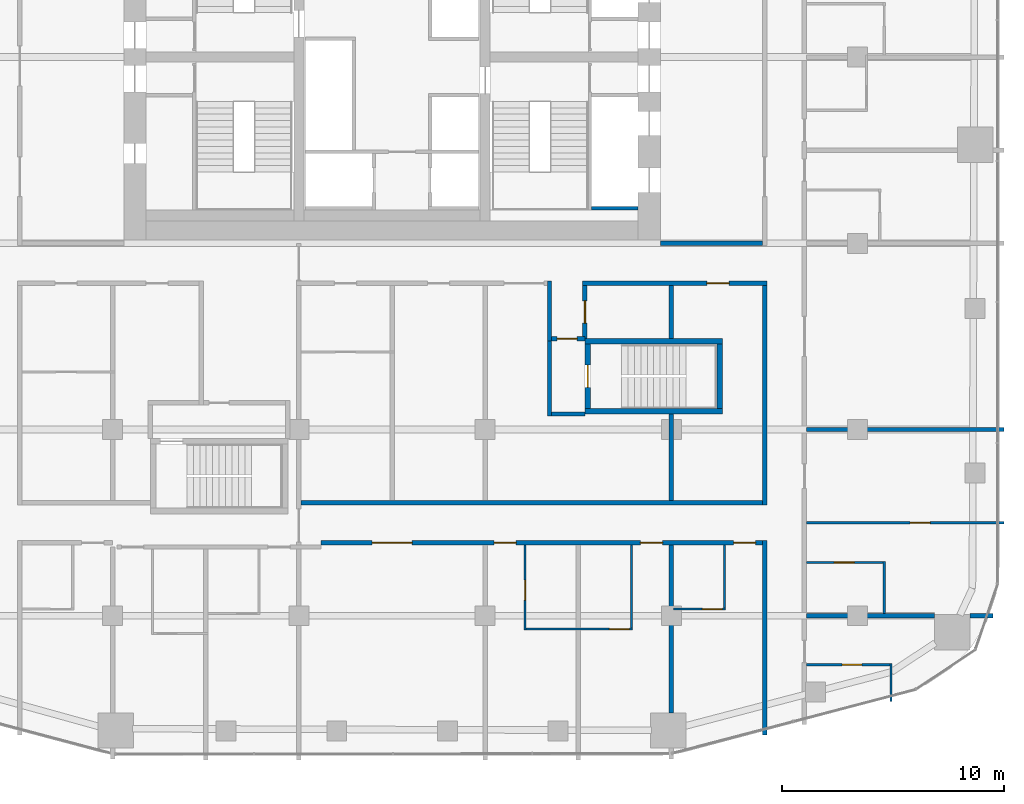
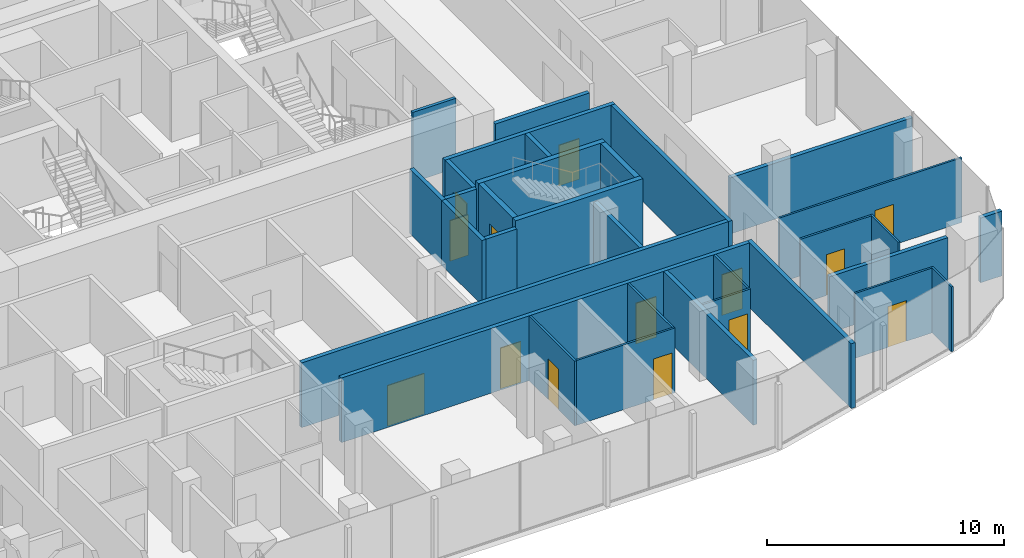
# One storey, part 16 of 23: 32 walls, 14 doors, 14 openings.
"""IFC4 building model written with IfcOpenShell, lengths in metres."""

from ifc_helpers import new_model, si_unit, direction, frame, frame_2d, origin, place, context, subcontext, project, spatial, rectangle, extrude, material, layer, layer_set, type_object, element, fill, save


model = new_model("IFC4")

# Units and contexts
model_context = context("Model", 3, precision=1e-05, world=origin(), true_north=direction((0.0, 1.0)))
body_context = subcontext(model_context, "Body", "Model", "MODEL_VIEW")
ifc_project = project(units=[si_unit("LENGTHUNIT", "METRE"), si_unit("AREAUNIT", "SQUARE_METRE"), si_unit("VOLUMEUNIT", "CUBIC_METRE"), si_unit("PLANEANGLEUNIT", "RADIAN"), si_unit("MASSUNIT", "GRAM", prefix="KILO")], contexts=[model_context])

# Site, building, storey
site_placement = place(None, origin())
site = spatial("IfcSite", under=ifc_project, at=site_placement, CompositionType="ELEMENT")
building_placement = place(site_placement, origin())
building = spatial("IfcBuilding", under=site, at=building_placement, Name="Marenta Gate Hotel Tower", CompositionType="ELEMENT")
storey_placement = place(building_placement, frame((0.0, 0.0, 119.300048828125)))
storey = spatial("IfcBuildingStorey", under=building, at=storey_placement, Name="L26", CompositionType="ELEMENT", Elevation=119.300048828125)

# Walls
ifc_material_1 = material(Name="Concrete blockwork", Category="masonry")
ifc_layer_1 = layer(ifc_material_1, 0.199951171875)
ifc_layer_set_1 = layer_set([ifc_layer_1], Name="Concrete blockwork")
wall_type_1 = type_object("IfcWallType", Name="Core boundary wall 200 REI 180", PredefinedType="PARTITIONING", material=ifc_layer_set_1)
wall_1_placement = place(storey_placement, frame((12.10009765625, 0.0, 0.0), z_axis=(0.0, 0.0, 1.0), x_axis=(1.0, 0.0, 0.0)))
element("IfcWall", 1, at=wall_1_placement, inside=storey, type_object=wall_type_1, Name="L26-CP-EW-ES", PredefinedType="PARTITIONING", context=body_context, shape_type="SweptSolid", body=[
    extrude(rectangle(XDim=4.599853515625, YDim=0.199951171875, at=frame_2d((2.2998046875, 0.0))), origin(), (0.0, 0.0, 1.0), 2.889892578125),
])
ifc_material_2 = material(Name="Concrete C40", Category="concrete")
ifc_layer_2 = layer(ifc_material_2, 0.14990234375)
ifc_layer_set_2 = layer_set([ifc_layer_2], Name="Concrete C40")
wall_type_2 = type_object("IfcWallType", Name="Core shaft wall 150 REI 180", PredefinedType="SHEAR", material=ifc_layer_set_2)
wall_2_placement = place(storey_placement, frame((9.0, 1.574951171875, 0.0), z_axis=(0.0, 0.0, 1.0), x_axis=(1.0, 0.0, 0.0)))
element("IfcWall", 2, at=wall_2_placement, inside=storey, type_object=wall_type_2, Name="L26-SHF-SW-ES-5", PredefinedType="SHEAR", context=body_context, shape_type="SweptSolid", body=[
    extrude(rectangle(XDim=2.10009765625, YDim=0.14990234375, at=frame_2d((1.050048828125, 0.0))), origin(), (0.0, 0.0, 1.0), 3.599853515625),
])
ifc_material_3 = material(Name="Concrete C40", Category="concrete")
ifc_layer_3 = layer(ifc_material_3, 0.25)
ifc_layer_set_3 = layer_set([ifc_layer_3], Name="Concrete C40")
wall_type_3 = type_object("IfcWallType", Name="Remote stair enclosure wall 250 REI 180", PredefinedType="SHEAR", material=ifc_layer_set_3)
for number, where, z_axis, x_axis, name in (
    (3, (8.699951171875, -7.574951171875, 0.099853515625), (0.0, 0.0, 1.0), (1.0, 0.0, 0.0), "L26-RS-Z2-2-W1"),
    (4, (8.699951171875, -4.425048828125, 0.099853515625), (0.0, 0.0, 1.0), (1.0, 0.0, 0.0), "L26-RS-Z2-2-W2"),
):
    element("IfcWall", number, at=place(storey_placement, frame(where, z_axis=z_axis, x_axis=x_axis)), inside=storey, type_object=wall_type_3, Name=name, PredefinedType="SHEAR", context=body_context, shape_type="SweptSolid", body=[
        extrude(rectangle(XDim=6.199951171875, YDim=0.25, at=frame_2d((3.10009765625, 0.0))), origin(), (0.0, 0.0, 1.0), 3.60009765625),
    ])

# Wall, opening, door
wall_3_placement = place(storey_placement, frame((8.824951171875, -7.449951171875, 0.099853515625), z_axis=(0.0, 0.0, 1.0), x_axis=(0.0, 1.0, 0.0)))
wall_3 = element("IfcWall", 5, at=wall_3_placement, inside=storey, type_object=wall_type_3, Name="L26-RS-Z2-2-W3", PredefinedType="SHEAR", context=body_context, shape_type="SweptSolid", body=[
    extrude(rectangle(XDim=2.89990234375, YDim=0.25, at=frame_2d((1.449951171875, 0.0))), origin(), (0.0, 0.0, 1.0), 3.60009765625),
])
opening_1_placement = place(wall_3_placement, frame((0.949951171875, 0.0, 0.0)))
opening_1 = element("IfcOpeningElement", 6, at=opening_1_placement, cuts=wall_3, Name="Opening VD", PredefinedType="OPENING", context=body_context, shape_type="SweptSolid", body=[
    extrude(rectangle(XDim=1.0, YDim=2.10009765625, at=frame_2d((0.5, 1.050048828125))), frame((0.0, 0.125, 0.0), z_axis=(0.0, -1.0, 0.0), x_axis=(1.0, 0.0, 0.0)), (0.0, 0.0, 1.0), 0.25),
])
ifc_material_4 = material(Name="Steel", Category="steel")
door_type_1 = type_object("IfcDoorType", Name="Stair vestibule door 1000x2100 FD60", OperationType="SINGLE_SWING_LEFT", PredefinedType="DOOR", material=ifc_material_4)
door_1_placement = place(opening_1_placement, origin())
door_1 = element("IfcDoor", 7, at=door_1_placement, inside=storey, type_object=door_type_1, Name="VD", OperationType="SINGLE_SWING_LEFT", OverallHeight=2.10009765625, OverallWidth=1.0, PredefinedType="DOOR", context=body_context, shape_type="SweptSolid", body=[
    extrude(rectangle(XDim=1.0, YDim=2.10009765625, at=frame_2d((0.5, 1.050048828125))), frame((0.0, 0.02490234375, 0.0), z_axis=(0.0, -1.0, 0.0), x_axis=(1.0, 0.0, 0.0)), (0.0, 0.0, 1.0), 0.050048828125),
])
fill(opening_1, door_1)

# Walls
wall_4_placement = place(storey_placement, frame((14.77490234375, -7.449951171875, 0.099853515625), z_axis=(0.0, 0.0, 1.0), x_axis=(0.0, 1.0, 0.0)))
element("IfcWall", 8, at=wall_4_placement, inside=storey, type_object=wall_type_3, Name="L26-RS-Z2-2-W4", PredefinedType="SHEAR", context=body_context, shape_type="SweptSolid", body=[
    extrude(rectangle(XDim=2.89990234375, YDim=0.25, at=frame_2d((1.449951171875, 0.0))), origin(), (0.0, 0.0, 1.0), 3.60009765625),
])
ifc_material_5 = material(Name="Concrete blockwork", Category="masonry")
ifc_layer_4 = layer(ifc_material_5, 0.199951171875)
ifc_layer_set_4 = layer_set([ifc_layer_4], Name="Concrete blockwork")
wall_type_4 = type_object("IfcWallType", Name="Room corridor wall 200 EI 120", PredefinedType="PARTITIONING", material=ifc_layer_set_4)
wall_5_placement = place(storey_placement, frame((-4.10009765625, -11.699951171875, 0.0), z_axis=(0.0, 0.0, 1.0), x_axis=(1.0, 0.0, 0.0)))
element("IfcWall", 9, at=wall_5_placement, inside=storey, type_object=wall_type_4, Name="L26-PTN-W034", PredefinedType="PARTITIONING", context=body_context, shape_type="SweptSolid", body=[
    extrude(rectangle(XDim=20.800048828125, YDim=0.199951171875, at=frame_2d((10.39990234375, 0.0))), origin(), (0.0, 0.0, 1.0), 3.33984375),
])
ifc_material_6 = material(Name="Gypsum board on steel stud", Category="steel")
ifc_layer_5 = layer(ifc_material_6, 0.199951171875)
ifc_layer_set_5 = layer_set([ifc_layer_5], Name="Gypsum board on steel stud")
wall_type_5 = type_object("IfcWallType", Name="Room corridor wall 200 EI 60", PredefinedType="PARTITIONING", material=ifc_layer_set_5)
wall_6_placement = place(storey_placement, frame((16.800048828125, -22.18603515625, 0.0), z_axis=(0.0, 0.0, 1.0), x_axis=(0.0, 1.0, 0.0)))
element("IfcWall", 10, at=wall_6_placement, inside=storey, type_object=wall_type_5, Name="L26-PTN-W014", PredefinedType="PARTITIONING", context=body_context, shape_type="SweptSolid", body=[
    extrude(rectangle(XDim=8.7861328125, YDim=0.199951171875, at=frame_2d((4.39306640625, 0.0))), origin(), (0.0, 0.0, 1.0), 3.33984375),
])
wall_7_placement = place(storey_placement, frame((16.800048828125, -11.800048828125, 0.0), z_axis=(0.0, 0.0, 1.0), x_axis=(0.0, 1.0, 0.0)))
element("IfcWall", 11, at=wall_7_placement, inside=storey, type_object=wall_type_5, Name="L26-PTN-W015", PredefinedType="PARTITIONING", context=body_context, shape_type="SweptSolid", body=[
    extrude(rectangle(XDim=9.900146484375, YDim=0.199951171875, at=frame_2d((4.9501953125, 0.0))), origin(), (0.0, 0.0, 1.0), 3.33984375),
])

# Wall, openings, doors
wall_8_placement = place(storey_placement, frame((-3.199951171875, -13.5, 0.0), z_axis=(0.0, 0.0, 1.0), x_axis=(1.0, 0.0, 0.0)))
wall_8 = element("IfcWall", 12, at=wall_8_placement, inside=storey, type_object=wall_type_5, Name="L26-PTN-W027", PredefinedType="PARTITIONING", context=body_context, shape_type="SweptSolid", body=[
    extrude(rectangle(XDim=19.89990234375, YDim=0.199951171875, at=frame_2d((9.949951171875, 0.0))), origin(), (0.0, 0.0, 1.0), 3.33984375),
])
opening_2_placement = place(wall_8_placement, frame((2.300048828125, 0.0, 0.0)))
opening_2 = element("IfcOpeningElement", 13, at=opening_2_placement, cuts=wall_8, Name="Opening G09-47", PredefinedType="OPENING", context=body_context, shape_type="SweptSolid", body=[
    extrude(rectangle(XDim=1.800048828125, YDim=2.10009765625, at=frame_2d((0.89990234375, 1.050048828125))), frame((0.0, 0.10009765625, 0.0), z_axis=(0.0, -1.0, 0.0), x_axis=(1.0, 0.0, 0.0)), (0.0, 0.0, 1.0), 0.199951171875),
])
opening_3_placement = place(wall_8_placement, frame((7.800048828125, 0.0, 0.0)))
opening_3 = element("IfcOpeningElement", 14, at=opening_3_placement, cuts=wall_8, Name="Opening G09-48", PredefinedType="OPENING", context=body_context, shape_type="SweptSolid", body=[
    extrude(rectangle(XDim=1.0, YDim=2.10009765625, at=frame_2d((0.5, 1.050048828125))), frame((0.0, 0.10009765625, 0.0), z_axis=(0.0, -1.0, 0.0), x_axis=(1.0, 0.0, 0.0)), (0.0, 0.0, 1.0), 0.199951171875),
])
opening_4_placement = place(wall_8_placement, frame((14.39990234375, 0.0, 0.0)))
opening_4 = element("IfcOpeningElement", 15, at=opening_4_placement, cuts=wall_8, Name="Opening G09-50", PredefinedType="OPENING", context=body_context, shape_type="SweptSolid", body=[
    extrude(rectangle(XDim=1.0, YDim=2.10009765625, at=frame_2d((0.5, 1.050048828125))), frame((0.0, 0.10009765625, 0.0), z_axis=(0.0, -1.0, 0.0), x_axis=(1.0, 0.0, 0.0)), (0.0, 0.0, 1.0), 0.199951171875),
])
opening_5_placement = place(wall_8_placement, frame((18.60009765625, 0.0, 0.0)))
opening_5 = element("IfcOpeningElement", 16, at=opening_5_placement, cuts=wall_8, Name="Opening G09-52", PredefinedType="OPENING", context=body_context, shape_type="SweptSolid", body=[
    extrude(rectangle(XDim=1.0, YDim=2.10009765625, at=frame_2d((0.5, 1.050048828125))), frame((0.0, 0.10009765625, 0.0), z_axis=(0.0, -1.0, 0.0), x_axis=(1.0, 0.0, 0.0)), (0.0, 0.0, 1.0), 0.199951171875),
])
ifc_material_7 = material(Name="Timber door leaf", Category="wood")
door_type_2 = type_object("IfcDoorType", Name="Guest room door 1000x2100 EI 30", OperationType="NOTDEFINED", PredefinedType="DOOR", material=ifc_material_7)
door_2_placement = place(opening_3_placement, origin())
door_2 = element("IfcDoor", 17, at=door_2_placement, inside=storey, type_object=door_type_2, Name="L26-PD-D048", OperationType="SINGLE_SWING_RIGHT", OverallHeight=2.10009765625, OverallWidth=1.0, PredefinedType="DOOR", context=body_context, shape_type="SweptSolid", body=[
    extrude(rectangle(XDim=1.0, YDim=2.10009765625, at=frame_2d((0.5, 1.050048828125))), frame((0.0, 0.02490234375, 0.0), z_axis=(0.0, -1.0, 0.0), x_axis=(1.0, 0.0, 0.0)), (0.0, 0.0, 1.0), 0.050048828125),
])
fill(opening_3, door_2)
door_3_placement = place(opening_4_placement, origin())
door_3 = element("IfcDoor", 18, at=door_3_placement, inside=storey, type_object=door_type_2, Name="L26-PD-D050", OperationType="SINGLE_SWING_RIGHT", OverallHeight=2.10009765625, OverallWidth=1.0, PredefinedType="DOOR", context=body_context, shape_type="SweptSolid", body=[
    extrude(rectangle(XDim=1.0, YDim=2.10009765625, at=frame_2d((0.5, 1.050048828125))), frame((0.0, 0.02490234375, 0.0), z_axis=(0.0, -1.0, 0.0), x_axis=(1.0, 0.0, 0.0)), (0.0, 0.0, 1.0), 0.050048828125),
])
fill(opening_4, door_3)
door_4_placement = place(opening_5_placement, origin())
door_4 = element("IfcDoor", 19, at=door_4_placement, inside=storey, type_object=door_type_2, Name="L26-PD-D052", OperationType="SINGLE_SWING_LEFT", OverallHeight=2.10009765625, OverallWidth=1.0, PredefinedType="DOOR", context=body_context, shape_type="SweptSolid", body=[
    extrude(rectangle(XDim=1.0, YDim=2.10009765625, at=frame_2d((0.5, 1.050048828125))), frame((0.0, 0.02490234375, 0.0), z_axis=(0.0, -1.0, 0.0), x_axis=(1.0, 0.0, 0.0)), (0.0, 0.0, 1.0), 0.050048828125),
])
fill(opening_5, door_4)
ifc_material_8 = material(Name="Timber door leaf", Category="wood")
door_type_3 = type_object("IfcDoorType", Name="Room amenity door 1800x2100 EI 30", OperationType="DOUBLE_DOOR_SINGLE_SWING", PredefinedType="DOOR", material=ifc_material_8)
door_5_placement = place(opening_2_placement, origin())
door_5 = element("IfcDoor", 20, at=door_5_placement, inside=storey, type_object=door_type_3, Name="L26-PD-D047", OperationType="DOUBLE_DOOR_SINGLE_SWING", OverallHeight=2.10009765625, OverallWidth=1.800048828125, PredefinedType="DOOR", context=body_context, shape_type="SweptSolid", body=[
    extrude(rectangle(XDim=1.800048828125, YDim=2.10009765625, at=frame_2d((0.89990234375, 1.050048828125))), frame((0.0, 0.02490234375, 0.0), z_axis=(0.0, -1.0, 0.0), x_axis=(1.0, 0.0, 0.0)), (0.0, 0.0, 1.0), 0.050048828125),
])
fill(opening_2, door_5)

# Wall, opening, door
wall_9_placement = place(storey_placement, frame((8.699951171875, -4.300048828125, 0.0), z_axis=(0.0, 0.0, 1.0), x_axis=(0.0, 1.0, 0.0)))
wall_9 = element("IfcWall", 21, at=wall_9_placement, inside=storey, type_object=wall_type_5, Name="L26-PTN-W038", PredefinedType="PARTITIONING", context=body_context, shape_type="SweptSolid", body=[
    extrude(rectangle(XDim=2.400146484375, YDim=0.199951171875, at=frame_2d((1.2001953125, 0.0))), origin(), (0.0, 0.0, 1.0), 3.33984375),
])
opening_6_placement = place(wall_9_placement, frame((0.699951171875, 0.0, 0.0)))
opening_6 = element("IfcOpeningElement", 22, at=opening_6_placement, cuts=wall_9, Name="Opening G09-73", PredefinedType="OPENING", context=body_context, shape_type="SweptSolid", body=[
    extrude(rectangle(XDim=1.0, YDim=2.10009765625, at=frame_2d((0.5, 1.050048828125))), frame((0.0, 0.10009765625, 0.0), z_axis=(0.0, -1.0, 0.0), x_axis=(1.0, 0.0, 0.0)), (0.0, 0.0, 1.0), 0.199951171875),
])
ifc_material_9 = material(Name="Timber door leaf", Category="wood")
door_type_4 = type_object("IfcDoorType", Name="Room amenity door 1000x2100 EI 30", OperationType="NOTDEFINED", PredefinedType="DOOR", material=ifc_material_9)
door_6_placement = place(opening_6_placement, origin())
door_6 = element("IfcDoor", 23, at=door_6_placement, inside=storey, type_object=door_type_4, Name="L26-PD-D073", OperationType="SINGLE_SWING_LEFT", OverallHeight=2.10009765625, OverallWidth=1.0, PredefinedType="DOOR", context=body_context, shape_type="SweptSolid", body=[
    extrude(rectangle(XDim=1.0, YDim=2.10009765625, at=frame_2d((0.5, 1.050048828125))), frame((0.0, 0.02490234375, 0.0), z_axis=(0.0, -1.0, 0.0), x_axis=(1.0, 0.0, 0.0)), (0.0, 0.0, 1.0), 0.050048828125),
])
fill(opening_6, door_6)

# Wall
wall_10_placement = place(storey_placement, frame((7.10009765625, -4.39990234375, 0.0), z_axis=(0.0, 0.0, 1.0), x_axis=(0.0, 1.0, 0.0)))
element("IfcWall", 24, at=wall_10_placement, inside=storey, type_object=wall_type_5, Name="L26-PTN-W047", PredefinedType="PARTITIONING", context=body_context, shape_type="SweptSolid", body=[
    extrude(rectangle(XDim=2.699951171875, YDim=0.199951171875, at=frame_2d((1.35009765625, 0.0))), origin(), (0.0, 0.0, 1.0), 3.33984375),
])

# Wall, opening, door
wall_11_placement = place(storey_placement, frame((8.60009765625, -1.800048828125, 0.0), z_axis=(0.0, 0.0, 1.0), x_axis=(1.0, 0.0, 0.0)))
wall_11 = element("IfcWall", 25, at=wall_11_placement, inside=storey, type_object=wall_type_5, Name="L26-PTN-W061", PredefinedType="PARTITIONING", context=body_context, shape_type="SweptSolid", body=[
    extrude(rectangle(XDim=8.2998046875, YDim=0.199951171875, at=frame_2d((4.14990234375, 0.0))), origin(), (0.0, 0.0, 1.0), 3.33984375),
])
opening_7_placement = place(wall_11_placement, frame((5.60009765625, 0.0, 0.0)))
opening_7 = element("IfcOpeningElement", 26, at=opening_7_placement, cuts=wall_11, Name="Opening G09-08", PredefinedType="OPENING", context=body_context, shape_type="SweptSolid", body=[
    extrude(rectangle(XDim=1.0, YDim=2.10009765625, at=frame_2d((0.5, 1.050048828125))), frame((0.0, 0.10009765625, 0.0), z_axis=(0.0, -1.0, 0.0), x_axis=(1.0, 0.0, 0.0)), (0.0, 0.0, 1.0), 0.199951171875),
])
door_7_placement = place(opening_7_placement, origin())
door_7 = element("IfcDoor", 27, at=door_7_placement, inside=storey, type_object=door_type_4, Name="L26-PD-D008", OperationType="SINGLE_SWING_RIGHT", OverallHeight=2.10009765625, OverallWidth=1.0, PredefinedType="DOOR", context=body_context, shape_type="SweptSolid", body=[
    extrude(rectangle(XDim=1.0, YDim=2.10009765625, at=frame_2d((0.5, 1.050048828125))), frame((0.0, 0.02490234375, 0.0), z_axis=(0.0, -1.0, 0.0), x_axis=(1.0, 0.0, 0.0)), (0.0, 0.0, 1.0), 0.050048828125),
])
fill(opening_7, door_7)

ifc_material_10 = material(Name="Concrete blockwork", Category="masonry")
ifc_layer_6 = layer(ifc_material_10, 0.199951171875)
ifc_layer_set_6 = layer_set([ifc_layer_6], Name="Concrete blockwork")
wall_type_6 = type_object("IfcWallType", Name="Room corridor wall 200 REI 180", PredefinedType="PARTITIONING", material=ifc_layer_set_6)
wall_12_placement = place(storey_placement, frame((7.199951171875, -4.300048828125, 0.0), z_axis=(0.0, 0.0, 1.0), x_axis=(1.0, 0.0, 0.0)))
wall_12 = element("IfcWall", 28, at=wall_12_placement, inside=storey, type_object=wall_type_6, Name="L26-PTN-W052", PredefinedType="PARTITIONING", context=body_context, shape_type="SweptSolid", body=[
    extrude(rectangle(XDim=1.5, YDim=0.199951171875, at=frame_2d((0.75, 0.0))), origin(), (0.0, 0.0, 1.0), 3.33984375),
])
opening_8_placement = place(wall_12_placement, frame((0.25, 0.0, 0.0)))
opening_8 = element("IfcOpeningElement", 29, at=opening_8_placement, cuts=wall_12, Name="Opening G09-70", PredefinedType="OPENING", context=body_context, shape_type="SweptSolid", body=[
    extrude(rectangle(XDim=0.89990234375, YDim=2.10009765625, at=frame_2d((0.449951171875, 1.050048828125))), frame((0.0, 0.10009765625, 0.0), z_axis=(0.0, -1.0, 0.0), x_axis=(1.0, 0.0, 0.0)), (0.0, 0.0, 1.0), 0.199951171875),
])
ifc_material_11 = material(Name="Hollow steel door set", Category="steel")
door_type_5 = type_object("IfcDoorType", Name="Stair vestibule door 900x2100 EI 60", OperationType="NOTDEFINED", PredefinedType="DOOR", material=ifc_material_11)
door_8_placement = place(opening_8_placement, origin())
door_8 = element("IfcDoor", 30, at=door_8_placement, inside=storey, type_object=door_type_5, Name="L26-PD-D070", OperationType="SINGLE_SWING_RIGHT", OverallHeight=2.10009765625, OverallWidth=0.89990234375, PredefinedType="DOOR", context=body_context, shape_type="SweptSolid", body=[
    extrude(rectangle(XDim=0.89990234375, YDim=2.10009765625, at=frame_2d((0.449951171875, 1.050048828125))), frame((0.0, 0.02490234375, 0.0), z_axis=(0.0, -1.0, 0.0), x_axis=(1.0, 0.0, 0.0)), (0.0, 0.0, 1.0), 0.050048828125),
])
fill(opening_8, door_8)

# Walls
ifc_material_12 = material(Name="Gypsum board on steel stud", Category="steel")
ifc_layer_7 = layer(ifc_material_12, 0.10009765625)
ifc_layer_set_7 = layer_set([ifc_layer_7], Name="Gypsum board on steel stud")
wall_type_7 = type_object("IfcWallType", Name="Room partition 100", PredefinedType="PARTITIONING", material=ifc_layer_set_7)
wall_13_placement = place(storey_placement, frame((22.5, -20.674072265625, 0.0), z_axis=(0.0, 0.0, 1.0), x_axis=(0.0, 1.0, 0.0)))
element("IfcWall", 31, at=wall_13_placement, inside=storey, type_object=wall_type_7, Name="L26-PTN-W001", PredefinedType="PARTITIONING", context=body_context, shape_type="SweptSolid", body=[
    extrude(rectangle(XDim=1.716064453125, YDim=0.10009765625, at=frame_2d((0.85791015625, 0.0))), origin(), (0.0, 0.0, 1.0), 3.33984375),
])
wall_14_placement = place(storey_placement, frame((22.199951171875, -16.699951171875, 0.0), z_axis=(0.0, 0.0, 1.0), x_axis=(0.0, 1.0, 0.0)))
element("IfcWall", 32, at=wall_14_placement, inside=storey, type_object=wall_type_7, Name="L26-PTN-W002", PredefinedType="PARTITIONING", context=body_context, shape_type="SweptSolid", body=[
    extrude(rectangle(XDim=2.349853515625, YDim=0.10009765625, at=frame_2d((1.1748046875, 0.0))), origin(), (0.0, 0.0, 1.0), 3.33984375),
])

# Wall, opening, door
wall_15_placement = place(storey_placement, frame((18.699951171875, -19.008056640625, 0.0), z_axis=(0.0, 0.0, 1.0), x_axis=(1.0, 0.0, 0.0)))
wall_15 = element("IfcWall", 33, at=wall_15_placement, inside=storey, type_object=wall_type_7, Name="L26-PTN-W009", PredefinedType="PARTITIONING", context=body_context, shape_type="SweptSolid", body=[
    extrude(rectangle(XDim=3.75, YDim=0.10009765625, at=frame_2d((1.875, 0.0))), origin(), (0.0, 0.0, 1.0), 3.33984375),
])
opening_9_placement = place(wall_15_placement, frame((1.594970703125, 0.0, 0.0)))
opening_9 = element("IfcOpeningElement", 34, at=opening_9_placement, cuts=wall_15, Name="Opening G09-10", PredefinedType="OPENING", context=body_context, shape_type="SweptSolid", body=[
    extrude(rectangle(XDim=0.89990234375, YDim=2.10009765625, at=frame_2d((0.449951171875, 1.050048828125))), frame((0.0, 0.050048828125, 0.0), z_axis=(0.0, -1.0, 0.0), x_axis=(1.0, 0.0, 0.0)), (0.0, 0.0, 1.0), 0.10009765625),
])
ifc_material_13 = material(Name="Timber door leaf", Category="wood")
door_type_6 = type_object("IfcDoorType", Name="Guest bathroom door 900x2100", OperationType="NOTDEFINED", PredefinedType="DOOR", material=ifc_material_13)
door_9_placement = place(opening_9_placement, origin())
door_9 = element("IfcDoor", 35, at=door_9_placement, inside=storey, type_object=door_type_6, Name="L26-PD-D010", OperationType="SINGLE_SWING_RIGHT", OverallHeight=2.10009765625, OverallWidth=0.89990234375, PredefinedType="DOOR", context=body_context, shape_type="SweptSolid", body=[
    extrude(rectangle(XDim=0.89990234375, YDim=2.10009765625, at=frame_2d((0.449951171875, 1.050048828125))), frame((0.0, 0.02490234375, 0.0), z_axis=(0.0, -1.0, 0.0), x_axis=(1.0, 0.0, 0.0)), (0.0, 0.0, 1.0), 0.050048828125),
])
fill(opening_9, door_9)

wall_16_placement = place(storey_placement, frame((6.050048828125, -17.39990234375, 0.0), z_axis=(0.0, 0.0, 1.0), x_axis=(1.0, 0.0, 0.0)))
wall_16 = element("IfcWall", 36, at=wall_16_placement, inside=storey, type_object=wall_type_7, Name="L26-PTN-W013", PredefinedType="PARTITIONING", context=body_context, shape_type="SweptSolid", body=[
    extrude(rectangle(XDim=4.800048828125, YDim=0.10009765625, at=frame_2d((2.39990234375, 0.0))), origin(), (0.0, 0.0, 1.0), 3.33984375),
])
opening_10_placement = place(wall_16_placement, frame((3.75, 0.0, 0.0)))
opening_10 = element("IfcOpeningElement", 37, at=opening_10_placement, cuts=wall_16, Name="Opening G09-51", PredefinedType="OPENING", context=body_context, shape_type="SweptSolid", body=[
    extrude(rectangle(XDim=0.89990234375, YDim=2.10009765625, at=frame_2d((0.449951171875, 1.050048828125))), frame((0.0, 0.050048828125, 0.0), z_axis=(0.0, -1.0, 0.0), x_axis=(1.0, 0.0, 0.0)), (0.0, 0.0, 1.0), 0.10009765625),
])
door_10_placement = place(opening_10_placement, origin())
door_10 = element("IfcDoor", 38, at=door_10_placement, inside=storey, type_object=door_type_6, Name="L26-PD-D051", OperationType="SINGLE_SWING_RIGHT", OverallHeight=2.10009765625, OverallWidth=0.89990234375, PredefinedType="DOOR", context=body_context, shape_type="SweptSolid", body=[
    extrude(rectangle(XDim=0.89990234375, YDim=2.10009765625, at=frame_2d((0.449951171875, 1.050048828125))), frame((0.0, 0.02490234375, 0.0), z_axis=(0.0, -1.0, 0.0), x_axis=(1.0, 0.0, 0.0)), (0.0, 0.0, 1.0), 0.050048828125),
])
fill(opening_10, door_10)

wall_17_placement = place(storey_placement, frame((12.699951171875, -16.5, 0.0), z_axis=(0.0, 0.0, 1.0), x_axis=(1.0, 0.0, 0.0)))
wall_17 = element("IfcWall", 39, at=wall_17_placement, inside=storey, type_object=wall_type_7, Name="L26-PTN-W021", PredefinedType="PARTITIONING", context=body_context, shape_type="SweptSolid", body=[
    extrude(rectangle(XDim=2.35009765625, YDim=0.10009765625, at=frame_2d((1.175048828125, 0.0))), origin(), (0.0, 0.0, 1.0), 3.33984375),
])
opening_11_placement = place(wall_17_placement, frame((1.300048828125, 0.0, 0.0)))
opening_11 = element("IfcOpeningElement", 40, at=opening_11_placement, cuts=wall_17, Name="Opening G09-53", PredefinedType="OPENING", context=body_context, shape_type="SweptSolid", body=[
    extrude(rectangle(XDim=0.89990234375, YDim=2.10009765625, at=frame_2d((0.449951171875, 1.050048828125))), frame((0.0, 0.050048828125, 0.0), z_axis=(0.0, -1.0, 0.0), x_axis=(1.0, 0.0, 0.0)), (0.0, 0.0, 1.0), 0.10009765625),
])
door_11_placement = place(opening_11_placement, origin())
door_11 = element("IfcDoor", 41, at=door_11_placement, inside=storey, type_object=door_type_6, Name="L26-PD-D053", OperationType="SINGLE_SWING_RIGHT", OverallHeight=2.10009765625, OverallWidth=0.89990234375, PredefinedType="DOOR", context=body_context, shape_type="SweptSolid", body=[
    extrude(rectangle(XDim=0.89990234375, YDim=2.10009765625, at=frame_2d((0.449951171875, 1.050048828125))), frame((0.0, 0.02490234375, 0.0), z_axis=(0.0, -1.0, 0.0), x_axis=(1.0, 0.0, 0.0)), (0.0, 0.0, 1.0), 0.050048828125),
])
fill(opening_11, door_11)

# Wall
wall_18_placement = place(storey_placement, frame((15.0, -16.449951171875, 0.0), z_axis=(0.0, 0.0, 1.0), x_axis=(0.0, 1.0, 0.0)))
element("IfcWall", 42, at=wall_18_placement, inside=storey, type_object=wall_type_7, Name="L26-PTN-W022", PredefinedType="PARTITIONING", context=body_context, shape_type="SweptSolid", body=[
    extrude(rectangle(XDim=2.849853515625, YDim=0.10009765625, at=frame_2d((1.4248046875, 0.0))), origin(), (0.0, 0.0, 1.0), 3.33984375),
])

# Wall, opening, door
wall_19_placement = place(storey_placement, frame((18.699951171875, -14.39990234375, 0.0), z_axis=(0.0, 0.0, 1.0), x_axis=(1.0, 0.0, 0.0)))
wall_19 = element("IfcWall", 43, at=wall_19_placement, inside=storey, type_object=wall_type_7, Name="L26-PTN-W024", PredefinedType="PARTITIONING", context=body_context, shape_type="SweptSolid", body=[
    extrude(rectangle(XDim=3.449951171875, YDim=0.10009765625, at=frame_2d((1.72509765625, 0.0))), origin(), (0.0, 0.0, 1.0), 3.33984375),
])
opening_12_placement = place(wall_19_placement, frame((1.25, 0.0, 0.0)))
opening_12 = element("IfcOpeningElement", 44, at=opening_12_placement, cuts=wall_19, Name="Opening G09-13", PredefinedType="OPENING", context=body_context, shape_type="SweptSolid", body=[
    extrude(rectangle(XDim=0.89990234375, YDim=2.10009765625, at=frame_2d((0.449951171875, 1.050048828125))), frame((0.0, 0.050048828125, 0.0), z_axis=(0.0, -1.0, 0.0), x_axis=(1.0, 0.0, 0.0)), (0.0, 0.0, 1.0), 0.10009765625),
])
door_12_placement = place(opening_12_placement, origin())
door_12 = element("IfcDoor", 45, at=door_12_placement, inside=storey, type_object=door_type_6, Name="L26-PD-D013", OperationType="SINGLE_SWING_RIGHT", OverallHeight=2.10009765625, OverallWidth=0.89990234375, PredefinedType="DOOR", context=body_context, shape_type="SweptSolid", body=[
    extrude(rectangle(XDim=0.89990234375, YDim=2.10009765625, at=frame_2d((0.449951171875, 1.050048828125))), frame((0.0, 0.02490234375, 0.0), z_axis=(0.0, -1.0, 0.0), x_axis=(1.0, 0.0, 0.0)), (0.0, 0.0, 1.0), 0.050048828125),
])
fill(opening_12, door_12)

wall_20_placement = place(storey_placement, frame((18.699951171875, -12.60009765625, 0.0), z_axis=(0.0, 0.0, 1.0), x_axis=(1.0, 0.0, 0.0)))
wall_20 = element("IfcWall", 46, at=wall_20_placement, inside=storey, type_object=wall_type_7, Name="L26-PTN-W032", PredefinedType="PARTITIONING", context=body_context, shape_type="SweptSolid", body=[
    extrude(rectangle(XDim=8.900146484375, YDim=0.10009765625, at=frame_2d((4.4501953125, 0.0))), origin(), (0.0, 0.0, 1.0), 3.33984375),
])
opening_13_placement = place(wall_20_placement, frame((4.669921875, 0.0, 0.0)))
opening_13 = element("IfcOpeningElement", 47, at=opening_13_placement, cuts=wall_20, Name="Opening G09-12", PredefinedType="OPENING", context=body_context, shape_type="SweptSolid", body=[
    extrude(rectangle(XDim=0.89990234375, YDim=2.10009765625, at=frame_2d((0.449951171875, 1.050048828125))), frame((0.0, 0.050048828125, 0.0), z_axis=(0.0, -1.0, 0.0), x_axis=(1.0, 0.0, 0.0)), (0.0, 0.0, 1.0), 0.10009765625),
])
ifc_material_14 = material(Name="Timber door leaf", Category="wood")
door_type_7 = type_object("IfcDoorType", Name="Room inner door 900x2100", OperationType="NOTDEFINED", PredefinedType="DOOR", material=ifc_material_14)
door_13_placement = place(opening_13_placement, origin())
door_13 = element("IfcDoor", 48, at=door_13_placement, inside=storey, type_object=door_type_7, Name="L26-PD-D012", OperationType="SINGLE_SWING_RIGHT", OverallHeight=2.10009765625, OverallWidth=0.89990234375, PredefinedType="DOOR", context=body_context, shape_type="SweptSolid", body=[
    extrude(rectangle(XDim=0.89990234375, YDim=2.10009765625, at=frame_2d((0.449951171875, 1.050048828125))), frame((0.0, 0.02490234375, 0.0), z_axis=(0.0, -1.0, 0.0), x_axis=(1.0, 0.0, 0.0)), (0.0, 0.0, 1.0), 0.050048828125),
])
fill(opening_13, door_13)

# Wall
wall_21_placement = place(storey_placement, frame((10.800048828125, -17.35009765625, 0.0), z_axis=(0.0, 0.0, 1.0), x_axis=(0.0, 1.0, 0.0)))
element("IfcWall", 49, at=wall_21_placement, inside=storey, type_object=wall_type_7, Name="L26-PTN-W035", PredefinedType="PARTITIONING", context=body_context, shape_type="SweptSolid", body=[
    extrude(rectangle(XDim=3.75, YDim=0.10009765625, at=frame_2d((1.875, 0.0))), origin(), (0.0, 0.0, 1.0), 3.33984375),
])

# Wall, opening, door
wall_22_placement = place(storey_placement, frame((6.0, -17.449951171875, 0.0), z_axis=(0.0, 0.0, 1.0), x_axis=(0.0, 1.0, 0.0)))
wall_22 = element("IfcWall", 50, at=wall_22_placement, inside=storey, type_object=wall_type_7, Name="L26-PTN-W049", PredefinedType="PARTITIONING", context=body_context, shape_type="SweptSolid", body=[
    extrude(rectangle(XDim=3.849853515625, YDim=0.10009765625, at=frame_2d((1.9248046875, 0.0))), origin(), (0.0, 0.0, 1.0), 3.33984375),
])
opening_14_placement = place(wall_22_placement, frame((1.35498046875, 0.0, 0.0)))
opening_14 = element("IfcOpeningElement", 51, at=opening_14_placement, cuts=wall_22, Name="Opening G09-49", PredefinedType="OPENING", context=body_context, shape_type="SweptSolid", body=[
    extrude(rectangle(XDim=0.89990234375, YDim=2.10009765625, at=frame_2d((0.449951171875, 1.050048828125))), frame((0.0, 0.050048828125, 0.0), z_axis=(0.0, -1.0, 0.0), x_axis=(1.0, 0.0, 0.0)), (0.0, 0.0, 1.0), 0.10009765625),
])
door_14_placement = place(opening_14_placement, origin())
door_14 = element("IfcDoor", 52, at=door_14_placement, inside=storey, type_object=door_type_6, Name="L26-PD-D049", OperationType="SINGLE_SWING_RIGHT", OverallHeight=2.10009765625, OverallWidth=0.89990234375, PredefinedType="DOOR", context=body_context, shape_type="SweptSolid", body=[
    extrude(rectangle(XDim=0.89990234375, YDim=2.10009765625, at=frame_2d((0.449951171875, 1.050048828125))), frame((0.0, 0.02490234375, 0.0), z_axis=(0.0, -1.0, 0.0), x_axis=(1.0, 0.0, 0.0)), (0.0, 0.0, 1.0), 0.050048828125),
])
fill(opening_14, door_14)

# Walls
ifc_material_15 = material(Name="Gypsum board on steel stud", Category="steel")
ifc_layer_8 = layer(ifc_material_15, 0.199951171875)
ifc_layer_set_8 = layer_set([ifc_layer_8], Name="Gypsum board on steel stud")
wall_type_8 = type_object("IfcWallType", Name="Room party wall 200 EI 60", PredefinedType="PARTITIONING", material=ifc_layer_set_8)
wall_23_placement = place(storey_placement, frame((18.699951171875, -16.800048828125, 0.0), z_axis=(0.0, 0.0, 1.0), x_axis=(1.0, 0.0, 0.0)))
element("IfcWall", 53, at=wall_23_placement, inside=storey, type_object=wall_type_8, Name="L26-PTN-W018", PredefinedType="PARTITIONING", context=body_context, shape_type="SweptSolid", body=[
    extrude(rectangle(XDim=5.762939453125, YDim=0.199951171875, at=frame_2d((2.88134765625, 0.0))), origin(), (0.0, 0.0, 1.0), 2.889892578125),
])
wall_24_placement = place(storey_placement, frame((26.06298828125, -16.800048828125, 0.0), z_axis=(0.0, 0.0, 1.0), x_axis=(1.0, 0.0, 0.0)))
element("IfcWall", 54, at=wall_24_placement, inside=storey, type_object=wall_type_8, Name="L26-PTN-W131", PredefinedType="PARTITIONING", context=body_context, shape_type="SweptSolid", body=[
    extrude(rectangle(XDim=1.049072265625, YDim=0.199951171875, at=frame_2d((0.5244140625, 0.0))), origin(), (0.0, 0.0, 1.0), 3.33984375),
])
wall_25_placement = place(storey_placement, frame((12.60009765625, -21.175048828125, 0.0), z_axis=(0.0, 0.0, 1.0), x_axis=(0.0, 1.0, 0.0)))
element("IfcWall", 55, at=wall_25_placement, inside=storey, type_object=wall_type_8, Name="L26-PTN-W132", PredefinedType="PARTITIONING", context=body_context, shape_type="SweptSolid", body=[
    extrude(rectangle(XDim=7.574951171875, YDim=0.199951171875, at=frame_2d((3.78759765625, 0.0))), origin(), (0.0, 0.0, 1.0), 3.33984375),
])
wall_26_placement = place(storey_placement, frame((12.60009765625, -11.60009765625, 0.0), z_axis=(0.0, 0.0, 1.0), x_axis=(0.0, 1.0, 0.0)))
element("IfcWall", 56, at=wall_26_placement, inside=storey, type_object=wall_type_8, Name="L26-PTN-W029", PredefinedType="PARTITIONING", context=body_context, shape_type="SweptSolid", body=[
    extrude(rectangle(XDim=3.900146484375, YDim=0.199951171875, at=frame_2d((1.9501953125, 0.0))), origin(), (0.0, 0.0, 1.0), 3.33984375),
])
wall_27_placement = place(storey_placement, frame((12.60009765625, -4.300048828125, 0.0), z_axis=(0.0, 0.0, 1.0), x_axis=(0.0, 1.0, 0.0)))
element("IfcWall", 57, at=wall_27_placement, inside=storey, type_object=wall_type_8, Name="L26-PTN-W030", PredefinedType="PARTITIONING", context=body_context, shape_type="SweptSolid", body=[
    extrude(rectangle(XDim=2.400146484375, YDim=0.199951171875, at=frame_2d((1.2001953125, 0.0))), origin(), (0.0, 0.0, 1.0), 3.33984375),
])
wall_28_placement = place(storey_placement, frame((18.699951171875, -8.39990234375, 0.0), z_axis=(0.0, 0.0, 1.0), x_axis=(1.0, 0.0, 0.0)))
element("IfcWall", 58, at=wall_28_placement, inside=storey, type_object=wall_type_8, Name="L26-PTN-W042", PredefinedType="PARTITIONING", context=body_context, shape_type="SweptSolid", body=[
    extrude(rectangle(XDim=8.900146484375, YDim=0.199951171875, at=frame_2d((4.4501953125, 0.0))), origin(), (0.0, 0.0, 1.0), 2.889892578125),
])
ifc_material_16 = material(Name="Concrete blockwork", Category="masonry")
ifc_layer_9 = layer(ifc_material_16, 0.199951171875)
ifc_layer_set_9 = layer_set([ifc_layer_9], Name="Concrete blockwork")
wall_type_9 = type_object("IfcWallType", Name="Room party wall 200 REI 180", PredefinedType="PARTITIONING", material=ifc_layer_set_9)
wall_29_placement = place(storey_placement, frame((7.199951171875, -7.699951171875, 0.0), z_axis=(0.0, 0.0, 1.0), x_axis=(1.0, 0.0, 0.0)))
element("IfcWall", 59, at=wall_29_placement, inside=storey, type_object=wall_type_9, Name="L26-PTN-W043", PredefinedType="PARTITIONING", context=body_context, shape_type="SweptSolid", body=[
    extrude(rectangle(XDim=1.5, YDim=0.199951171875, at=frame_2d((0.75, 0.0))), origin(), (0.0, 0.0, 1.0), 3.33984375),
])
wall_30_placement = place(storey_placement, frame((7.10009765625, -7.800048828125, 0.0), z_axis=(0.0, 0.0, 1.0), x_axis=(0.0, 1.0, 0.0)))
element("IfcWall", 60, at=wall_30_placement, inside=storey, type_object=wall_type_9, Name="L26-PTN-W046", PredefinedType="PARTITIONING", context=body_context, shape_type="SweptSolid", body=[
    extrude(rectangle(XDim=3.400146484375, YDim=0.199951171875, at=frame_2d((1.7001953125, 0.0))), origin(), (0.0, 0.0, 1.0), 3.33984375),
])

save(model, "model.ifc")
